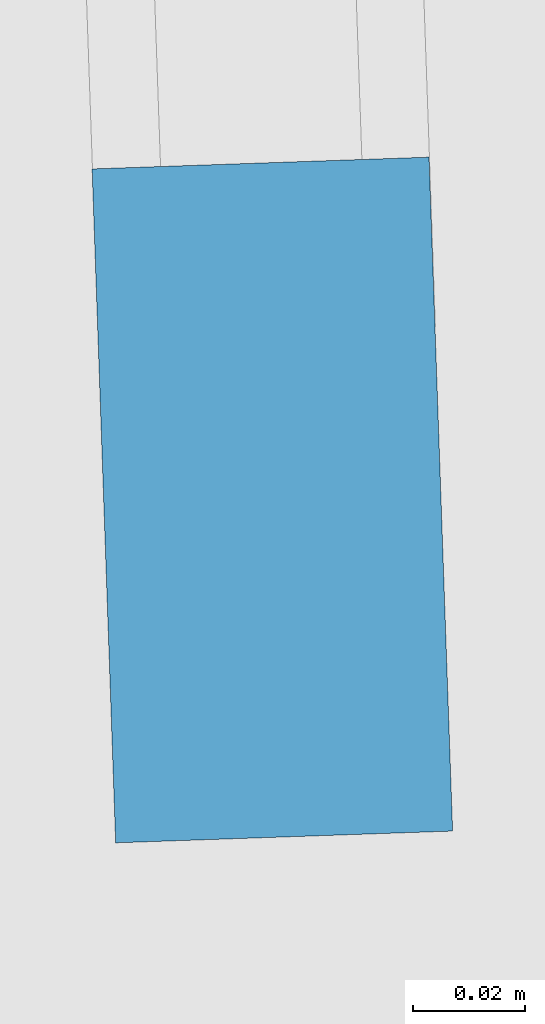
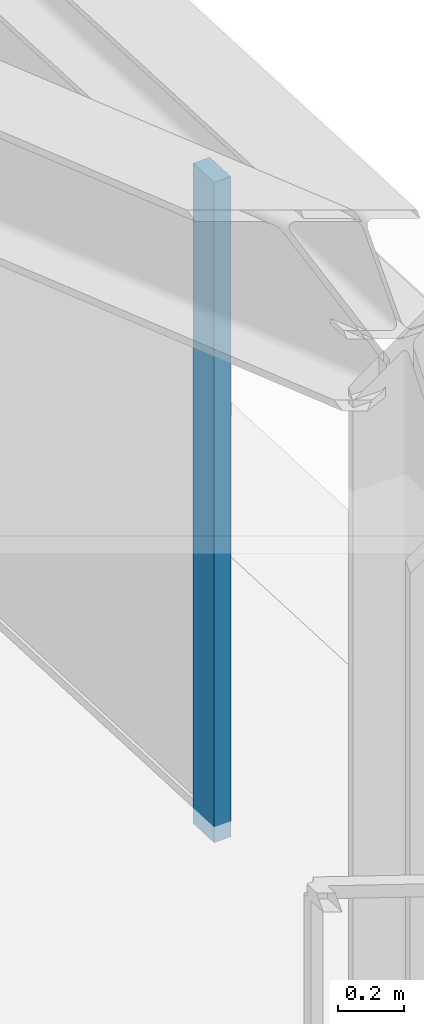
# One storey, part 6 of 12: 1 member, 1 element without a shape of its own.
"""IFC4 building model written with IfcOpenShell, lengths in metres."""

from ifc_helpers import new_model, si_unit, direction, frame, origin, origin_2d, place, context, subcontext, project, spatial, rectangle, extrude, material, layer, layer_set, material_profile, profile_set, type_object, element, aggregate, save


model = new_model("IFC4")

# Units and contexts
model_context = context("Model", 3, precision=1e-05, world=origin(), true_north=direction((0.0, 1.0)))
body_context = subcontext(model_context, "Body", "Model", "MODEL_VIEW")
ifc_project = project(units=[si_unit("LENGTHUNIT", "METRE"), si_unit("AREAUNIT", "SQUARE_METRE"), si_unit("VOLUMEUNIT", "CUBIC_METRE"), si_unit("PLANEANGLEUNIT", "RADIAN"), si_unit("MASSUNIT", "GRAM", prefix="KILO")], contexts=[model_context])

# Site, building, storey
site_placement = place(None, origin())
site = spatial("IfcSite", under=ifc_project, at=site_placement, CompositionType="ELEMENT")
building_placement = place(site_placement, origin())
building = spatial("IfcBuilding", under=site, at=building_placement, Name="Rocaltana Carrier Exchange", CompositionType="ELEMENT")
storey_placement = place(building_placement, frame((0.0, 0.0, 205.760009765625)))
storey = spatial("IfcBuildingStorey", under=building, at=storey_placement, Name="L65", CompositionType="ELEMENT", Elevation=205.760009765625)

# Curtain wall, member
ifc_material_1 = material(Name="Aluminium 6063-T6", Category="aluminium")
ifc_layer = layer(ifc_material_1, 0.1201171875)
ifc_layer_set = layer_set([ifc_layer], Name="Aluminium 6063-T6")
curtain_wall_type = type_object("IfcCurtainWallType", Name="High-Altitude Thermal Curtain Wall CW-05", PredefinedType="NOTDEFINED", material=ifc_layer_set)
curtain_wall_placement = place(storey_placement, origin())
curtain_wall = element("IfcCurtainWall", 1, at=curtain_wall_placement, inside=storey, type_object=curtain_wall_type, Name="L65 CW-05 Run CW-L65-F1S1", PredefinedType="NOTDEFINED")
ifc_material_2 = material(Name="Aluminium 6063-T6", Category="aluminium")
ifc_material_profile = material_profile(ifc_material_2, rectangle(XDim=0.06005859375, YDim=0.1201171875, at=origin_2d()), Name="AL-60X120")
ifc_profile_set = profile_set([ifc_material_profile], Name="Aluminium 6063-T6")
member_type = type_object("IfcMemberType", Name="CW-05 Mullion AL-60X120", PredefinedType="MULLION", material=ifc_profile_set)
member_placement = place(storey_placement, frame((11.421630859375, -15.480712890625, 0.0), z_axis=(0.0, 0.0, 1.0), x_axis=(-0.999390315991, -0.034914127567, 0.0)))
member = element("IfcMember", 2, at=member_placement, type_object=member_type, Name="CW-05 mullion 1", PredefinedType="MULLION", context=body_context, shape_type="SweptSolid", body=[
    extrude(rectangle(XDim=0.06005859375, YDim=0.1201171875, at=origin_2d()), origin(), (0.0, 0.0, 1.0), 2.447998046875),
])
aggregate(curtain_wall, [member])

save(model, "model.ifc")
